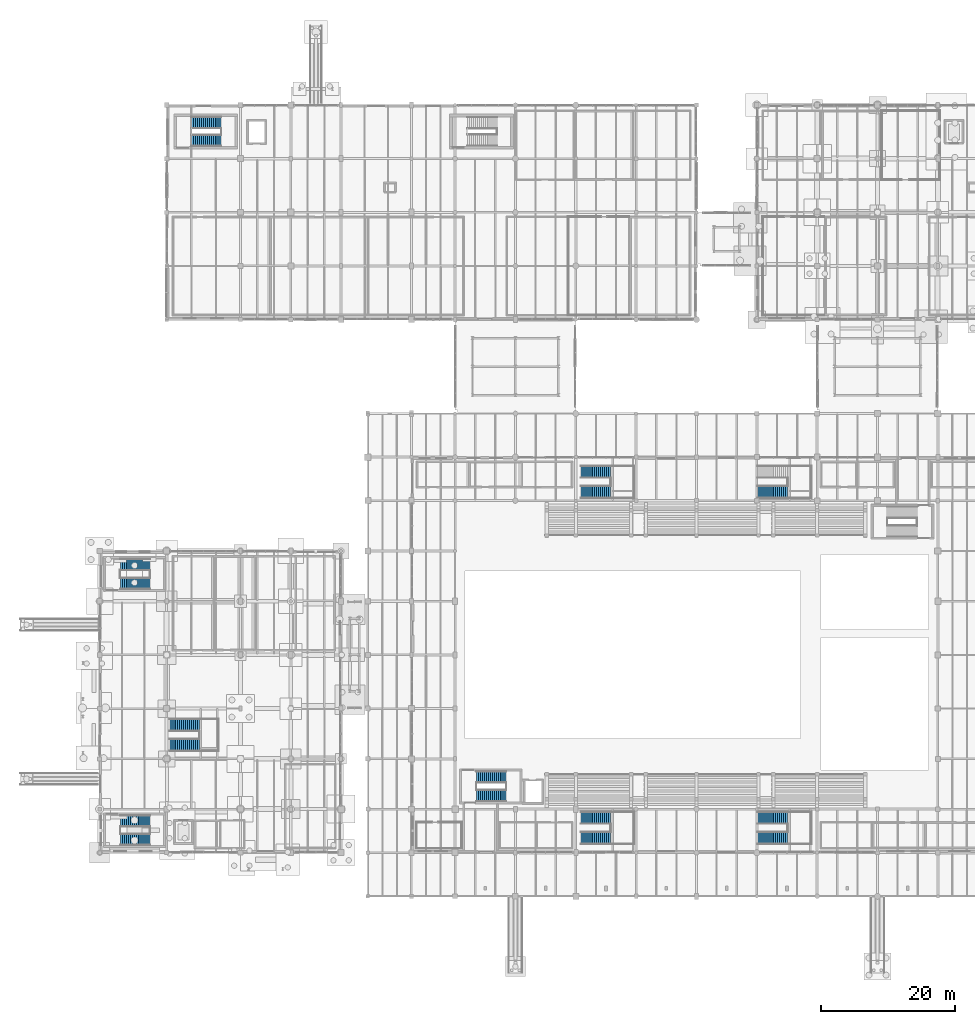
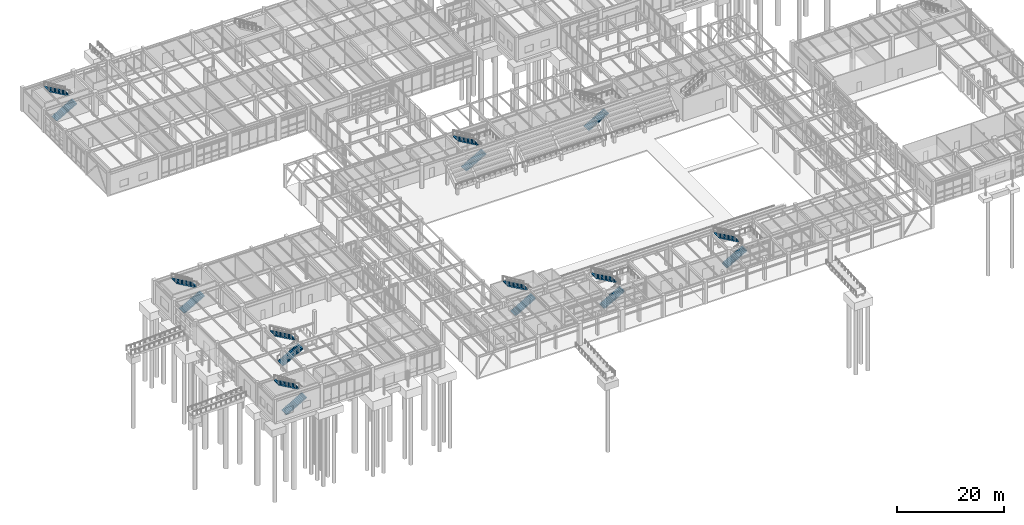
# One storey, part 185 of 203: 17 stair flights, 9 elements without a shape of their own.
"""IFC4 building model written with IfcOpenShell, lengths in metres."""

from ifc_helpers import new_model, si_unit, direction, frame, origin, place, context, subcontext, project, spatial, polyline, outline, extrude, material, layer, layer_set, type_object, element, aggregate, save


model = new_model("IFC4")

# Units and contexts
model_context = context("Model", 3, precision=1e-05, world=origin(), true_north=direction((0.0, 1.0)))
body_context = subcontext(model_context, "Body", "Model", "MODEL_VIEW")
ifc_project = project(units=[si_unit("LENGTHUNIT", "METRE"), si_unit("AREAUNIT", "SQUARE_METRE"), si_unit("VOLUMEUNIT", "CUBIC_METRE"), si_unit("PLANEANGLEUNIT", "RADIAN"), si_unit("MASSUNIT", "GRAM", prefix="KILO"), si_unit("THERMODYNAMICTEMPERATUREUNIT", "KELVIN"), si_unit("POWERUNIT", "WATT")], contexts=[model_context])

# Site, building, storey
site_placement = place(None, origin())
site = spatial("IfcSite", under=ifc_project, at=site_placement, CompositionType="ELEMENT")
building_placement = place(site_placement, origin())
building = spatial("IfcBuilding", under=site, at=building_placement, Name="Tepalcoro Natatorium and Aquatics Centre", CompositionType="ELEMENT")
storey_placement = place(building_placement, origin())
storey = spatial("IfcBuildingStorey", under=building, at=storey_placement, Name="L00", CompositionType="ELEMENT", Elevation=0.0)

# Stair, stair flights
ifc_material = material(Name="Concrete C35/45 (fc 35 MPa)", Category="concrete")
stair_type_1 = type_object("IfcStairType", Name="ST_RC_1800_L03", PredefinedType="HALF_TURN_STAIR", material=ifc_material)
stair_1_placement = place(storey_placement, origin())
stair_1 = element("IfcStair", 1, at=stair_1_placement, inside=storey, type_object=stair_type_1, Name="Entrance Atrium South Fire Stair (L00 to L01)", PredefinedType="HALF_TURN_STAIR")
ifc_layer_1 = layer(ifc_material, 0.199951171875)
ifc_layer_set_1 = layer_set([ifc_layer_1], Name="Concrete C35/45 (fc 35 MPa)")
stair_flight_type_1 = type_object("IfcStairFlightType", Name="SF_RC_1800_B1", PredefinedType="STRAIGHT", material=ifc_layer_set_1)
stair_flight_1_placement = place(storey_placement, frame((3.10009765625, 8.43994140625, 0.0), z_axis=(0.0, 0.0, 1.0), x_axis=(1.0, 0.0, 0.0)))
stair_flight_1 = element("IfcStairFlight", 2, at=stair_flight_1_placement, type_object=stair_flight_type_1, Name="Entrance Atrium South Fire Stair (L00 to L01) Flight 1", NumberOfRisers=16, NumberOfTreads=15, PredefinedType="STRAIGHT", RiserHeight=0.16875, TreadLength=0.295, context=body_context, shape_type="SweptSolid", body=[
    extrude(outline(polyline([(0.0, 0.0), (0.0, 0.168701171875), (0.294921875, 0.168701171875), (0.294921875, 0.33740234375), (0.590087890625, 0.33740234375), (0.590087890625, 0.50634765625), (0.885009765625, 0.50634765625), (0.885009765625, 0.675048828125), (1.179931640625, 0.675048828125), (1.179931640625, 0.84375), (1.47509765625, 0.84375), (1.47509765625, 1.012451171875), (1.77001953125, 1.012451171875), (1.77001953125, 1.18115234375), (2.06494140625, 1.18115234375), (2.06494140625, 1.35009765625), (2.360107421875, 1.35009765625), (2.360107421875, 1.518798828125), (2.655029296875, 1.518798828125), (2.655029296875, 1.6875), (2.949951171875, 1.6875), (2.949951171875, 1.856201171875), (3.2451171875, 1.856201171875), (3.2451171875, 2.02490234375), (3.5400390625, 2.02490234375), (3.5400390625, 2.19384765625), (3.8349609375, 2.19384765625), (3.8349609375, 2.362548828125), (4.1298828125, 2.362548828125), (4.1298828125, 2.53125), (4.425048828125, 2.53125), (4.425048828125, 2.699951171875), (4.425048828125, 2.30078125), (0.402587890625, 0.0), (0.0, 0.0)])), frame((0.0, 0.89990234375, 0.0), z_axis=(0.0, -1.0, 0.0), x_axis=(1.0, 0.0, 0.0)), (0.0, 0.0, 1.0), 1.800048828125),
])
stair_flight_2_placement = place(storey_placement, frame((7.52490234375, 11.260009765625, 2.699951171875), z_axis=(0.0, 0.0, 1.0), x_axis=(-1.0, 0.0, 0.0)))
stair_flight_2 = element("IfcStairFlight", 3, at=stair_flight_2_placement, type_object=stair_flight_type_1, Name="Entrance Atrium South Fire Stair (L00 to L01) Flight 2", NumberOfRisers=16, NumberOfTreads=15, PredefinedType="STRAIGHT", RiserHeight=0.16875, TreadLength=0.295, context=body_context, shape_type="SweptSolid", body=[
    extrude(outline(polyline([(0.0, 0.0), (0.0, 0.168701171875), (0.294921875, 0.168701171875), (0.294921875, 0.33740234375), (0.590087890625, 0.33740234375), (0.590087890625, 0.50634765625), (0.885009765625, 0.50634765625), (0.885009765625, 0.675048828125), (1.179931640625, 0.675048828125), (1.179931640625, 0.84375), (1.47509765625, 0.84375), (1.47509765625, 1.012451171875), (1.77001953125, 1.012451171875), (1.77001953125, 1.18115234375), (2.06494140625, 1.18115234375), (2.06494140625, 1.35009765625), (2.360107421875, 1.35009765625), (2.360107421875, 1.518798828125), (2.655029296875, 1.518798828125), (2.655029296875, 1.6875), (2.949951171875, 1.6875), (2.949951171875, 1.856201171875), (3.2451171875, 1.856201171875), (3.2451171875, 2.02490234375), (3.5400390625, 2.02490234375), (3.5400390625, 2.19384765625), (3.8349609375, 2.19384765625), (3.8349609375, 2.362548828125), (4.1298828125, 2.362548828125), (4.1298828125, 2.53125), (4.425048828125, 2.53125), (4.425048828125, 2.699951171875), (4.425048828125, 2.30078125), (0.402587890625, 0.0), (0.0, 0.0)])), frame((0.0, 0.89990234375, 0.0), z_axis=(0.0, -1.0, 0.0), x_axis=(1.0, 0.0, 0.0)), (0.0, 0.0, 1.0), 1.800048828125),
])
aggregate(stair_1, [stair_flight_1, stair_flight_2])

stair_type_2 = type_object("IfcStairType", Name="ST_RC_1800_L00", PredefinedType="HALF_TURN_STAIR", material=ifc_material)
stair_2_placement = place(storey_placement, origin())
stair_2 = element("IfcStair", 4, at=stair_2_placement, inside=storey, type_object=stair_type_2, Name="Natatorium West Fire Stair (L00 to L01)", PredefinedType="HALF_TURN_STAIR")
ifc_layer_2 = layer(ifc_material, 0.2099609375)
ifc_layer_set_2 = layer_set([ifc_layer_2], Name="Concrete C35/45 (fc 35 MPa)")
stair_flight_type_2 = type_object("IfcStairFlightType", Name="SF_RC_1800_L00", PredefinedType="STRAIGHT", material=ifc_layer_set_2)
stair_flight_3_placement = place(storey_placement, frame((56.199951171875, 14.989990234375, 0.0), z_axis=(0.0, 0.0, 1.0), x_axis=(1.0, 0.0, 0.0)))
stair_flight_3 = element("IfcStairFlight", 5, at=stair_flight_3_placement, type_object=stair_flight_type_2, Name="Natatorium West Fire Stair (L00 to L01) Flight 1", NumberOfRisers=16, NumberOfTreads=15, PredefinedType="STRAIGHT", RiserHeight=0.16875, TreadLength=0.295, context=body_context, shape_type="SweptSolid", body=[
    extrude(outline(polyline([(0.0, 0.0), (0.0, 0.168701171875), (0.294921875, 0.168701171875), (0.294921875, 0.33740234375), (0.590087890625, 0.33740234375), (0.590087890625, 0.50634765625), (0.885009765625, 0.50634765625), (0.885009765625, 0.675048828125), (1.179931640625, 0.675048828125), (1.179931640625, 0.84375), (1.47509765625, 0.84375), (1.47509765625, 1.012451171875), (1.77001953125, 1.012451171875), (1.77001953125, 1.18115234375), (2.06494140625, 1.18115234375), (2.06494140625, 1.35009765625), (2.360107421875, 1.35009765625), (2.360107421875, 1.518798828125), (2.655029296875, 1.518798828125), (2.655029296875, 1.6875), (2.949951171875, 1.6875), (2.949951171875, 1.856201171875), (3.2451171875, 1.856201171875), (3.2451171875, 2.02490234375), (3.5400390625, 2.02490234375), (3.5400390625, 2.19384765625), (3.8349609375, 2.19384765625), (3.8349609375, 2.362548828125), (4.1298828125, 2.362548828125), (4.1298828125, 2.53125), (4.425048828125, 2.53125), (4.425048828125, 2.699951171875), (4.425048828125, 2.289306640625), (0.4228515625, 0.0), (0.0, 0.0)])), frame((0.0, 0.89990234375, 0.0), z_axis=(0.0, -1.0, 0.0), x_axis=(1.0, 0.0, 0.0)), (0.0, 0.0, 1.0), 1.800048828125),
])
stair_flight_4_placement = place(storey_placement, frame((60.625, 17.81005859375, 2.699951171875), z_axis=(0.0, 0.0, 1.0), x_axis=(-1.0, 0.0, 0.0)))
stair_flight_4 = element("IfcStairFlight", 6, at=stair_flight_4_placement, type_object=stair_flight_type_2, Name="Natatorium West Fire Stair (L00 to L01) Flight 2", NumberOfRisers=16, NumberOfTreads=15, PredefinedType="STRAIGHT", RiserHeight=0.16875, TreadLength=0.295, context=body_context, shape_type="SweptSolid", body=[
    extrude(outline(polyline([(0.0, 0.0), (0.0, 0.168701171875), (0.294921875, 0.168701171875), (0.294921875, 0.33740234375), (0.590087890625, 0.33740234375), (0.590087890625, 0.50634765625), (0.885009765625, 0.50634765625), (0.885009765625, 0.675048828125), (1.179931640625, 0.675048828125), (1.179931640625, 0.84375), (1.47509765625, 0.84375), (1.47509765625, 1.012451171875), (1.77001953125, 1.012451171875), (1.77001953125, 1.18115234375), (2.06494140625, 1.18115234375), (2.06494140625, 1.35009765625), (2.360107421875, 1.35009765625), (2.360107421875, 1.518798828125), (2.655029296875, 1.518798828125), (2.655029296875, 1.6875), (2.949951171875, 1.6875), (2.949951171875, 1.856201171875), (3.2451171875, 1.856201171875), (3.2451171875, 2.02490234375), (3.5400390625, 2.02490234375), (3.5400390625, 2.19384765625), (3.8349609375, 2.19384765625), (3.8349609375, 2.362548828125), (4.1298828125, 2.362548828125), (4.1298828125, 2.53125), (4.425048828125, 2.53125), (4.425048828125, 2.699951171875), (4.425048828125, 2.289306640625), (0.4228515625, 0.0), (0.0, 0.0)])), frame((0.0, 0.89990234375, 0.0), z_axis=(0.0, -1.0, 0.0), x_axis=(1.0, 0.0, 0.0)), (0.0, 0.0, 1.0), 1.800048828125),
])
aggregate(stair_2, [stair_flight_3, stair_flight_4])

stair_type_3 = type_object("IfcStairType", Name="ST_RC_1800_B1", PredefinedType="HALF_TURN_STAIR", material=ifc_material)
stair_3_placement = place(storey_placement, origin())
stair_3 = element("IfcStair", 7, at=stair_3_placement, inside=storey, type_object=stair_type_3, Name="Entrance Atrium North Fire Stair (L00 to L01)", PredefinedType="HALF_TURN_STAIR")
stair_flight_5_placement = place(storey_placement, frame((3.080078125, 46.6201171875, 0.0), z_axis=(0.0, 0.0, 1.0), x_axis=(1.0, 0.0, 0.0)))
stair_flight_5 = element("IfcStairFlight", 8, at=stair_flight_5_placement, type_object=stair_flight_type_2, Name="Entrance Atrium North Fire Stair (L00 to L01) Flight 1", NumberOfRisers=16, NumberOfTreads=15, PredefinedType="STRAIGHT", RiserHeight=0.16875, TreadLength=0.295, context=body_context, shape_type="SweptSolid", body=[
    extrude(outline(polyline([(0.0, 0.0), (0.0, 0.168701171875), (0.294921875, 0.168701171875), (0.294921875, 0.33740234375), (0.590087890625, 0.33740234375), (0.590087890625, 0.50634765625), (0.885009765625, 0.50634765625), (0.885009765625, 0.675048828125), (1.179931640625, 0.675048828125), (1.179931640625, 0.84375), (1.47509765625, 0.84375), (1.47509765625, 1.012451171875), (1.77001953125, 1.012451171875), (1.77001953125, 1.18115234375), (2.06494140625, 1.18115234375), (2.06494140625, 1.35009765625), (2.360107421875, 1.35009765625), (2.360107421875, 1.518798828125), (2.655029296875, 1.518798828125), (2.655029296875, 1.6875), (2.949951171875, 1.6875), (2.949951171875, 1.856201171875), (3.2451171875, 1.856201171875), (3.2451171875, 2.02490234375), (3.5400390625, 2.02490234375), (3.5400390625, 2.19384765625), (3.8349609375, 2.19384765625), (3.8349609375, 2.362548828125), (4.1298828125, 2.362548828125), (4.1298828125, 2.53125), (4.425048828125, 2.53125), (4.425048828125, 2.699951171875), (4.425048828125, 2.289306640625), (0.4228515625, 0.0), (0.0, 0.0)])), frame((0.0, 0.89990234375, 0.0), z_axis=(0.0, -1.0, 0.0), x_axis=(1.0, 0.0, 0.0)), (0.0, 0.0, 1.0), 1.800048828125),
])
stair_flight_6_placement = place(storey_placement, frame((7.5048828125, 49.47998046875, 2.699951171875), z_axis=(0.0, 0.0, 1.0), x_axis=(-1.0, 0.0, 0.0)))
stair_flight_6 = element("IfcStairFlight", 9, at=stair_flight_6_placement, type_object=stair_flight_type_2, Name="Entrance Atrium North Fire Stair (L00 to L01) Flight 2", NumberOfRisers=16, NumberOfTreads=15, PredefinedType="STRAIGHT", RiserHeight=0.16875, TreadLength=0.295, context=body_context, shape_type="SweptSolid", body=[
    extrude(outline(polyline([(0.0, 0.0), (0.0, 0.168701171875), (0.294921875, 0.168701171875), (0.294921875, 0.33740234375), (0.590087890625, 0.33740234375), (0.590087890625, 0.50634765625), (0.885009765625, 0.50634765625), (0.885009765625, 0.675048828125), (1.179931640625, 0.675048828125), (1.179931640625, 0.84375), (1.47509765625, 0.84375), (1.47509765625, 1.012451171875), (1.77001953125, 1.012451171875), (1.77001953125, 1.18115234375), (2.06494140625, 1.18115234375), (2.06494140625, 1.35009765625), (2.360107421875, 1.35009765625), (2.360107421875, 1.518798828125), (2.655029296875, 1.518798828125), (2.655029296875, 1.6875), (2.949951171875, 1.6875), (2.949951171875, 1.856201171875), (3.2451171875, 1.856201171875), (3.2451171875, 2.02490234375), (3.5400390625, 2.02490234375), (3.5400390625, 2.19384765625), (3.8349609375, 2.19384765625), (3.8349609375, 2.362548828125), (4.1298828125, 2.362548828125), (4.1298828125, 2.53125), (4.425048828125, 2.53125), (4.425048828125, 2.699951171875), (4.425048828125, 2.289306640625), (0.4228515625, 0.0), (0.0, 0.0)])), frame((0.0, 0.89990234375, 0.0), z_axis=(0.0, -1.0, 0.0), x_axis=(1.0, 0.0, 0.0)), (0.0, 0.0, 1.0), 1.800048828125),
])
aggregate(stair_3, [stair_flight_5, stair_flight_6])

stair_type_4 = type_object("IfcStairType", Name="ST_RC_1800_L01", PredefinedType="HALF_TURN_STAIR", material=ifc_material)
stair_4_placement = place(storey_placement, origin())
stair_4 = element("IfcStair", 10, at=stair_4_placement, inside=storey, type_object=stair_type_4, Name="Training Wing West Fire Stair (L00 to L01)", PredefinedType="HALF_TURN_STAIR")
ifc_layer_3 = layer(ifc_material, 0.18994140625)
ifc_layer_set_3 = layer_set([ifc_layer_3], Name="Concrete C35/45 (fc 35 MPa)")
stair_flight_type_3 = type_object("IfcStairFlightType", Name="SF_RC_1800_L02", PredefinedType="STRAIGHT", material=ifc_layer_set_3)
stair_flight_7_placement = place(storey_placement, frame((13.699951171875, 112.68994140625, 0.0), z_axis=(0.0, 0.0, 1.0), x_axis=(1.0, 0.0, 0.0)))
stair_flight_7 = element("IfcStairFlight", 11, at=stair_flight_7_placement, type_object=stair_flight_type_3, Name="Training Wing West Fire Stair (L00 to L01) Flight 1", NumberOfRisers=16, NumberOfTreads=15, PredefinedType="STRAIGHT", RiserHeight=0.16875, TreadLength=0.295, context=body_context, shape_type="SweptSolid", body=[
    extrude(outline(polyline([(0.0, 0.0), (0.0, 0.168701171875), (0.294921875, 0.168701171875), (0.294921875, 0.33740234375), (0.590087890625, 0.33740234375), (0.590087890625, 0.50634765625), (0.885009765625, 0.50634765625), (0.885009765625, 0.675048828125), (1.179931640625, 0.675048828125), (1.179931640625, 0.84375), (1.47509765625, 0.84375), (1.47509765625, 1.012451171875), (1.77001953125, 1.012451171875), (1.77001953125, 1.18115234375), (2.06494140625, 1.18115234375), (2.06494140625, 1.35009765625), (2.360107421875, 1.35009765625), (2.360107421875, 1.518798828125), (2.655029296875, 1.518798828125), (2.655029296875, 1.6875), (2.949951171875, 1.6875), (2.949951171875, 1.856201171875), (3.2451171875, 1.856201171875), (3.2451171875, 2.02490234375), (3.5400390625, 2.02490234375), (3.5400390625, 2.19384765625), (3.8349609375, 2.19384765625), (3.8349609375, 2.362548828125), (4.1298828125, 2.362548828125), (4.1298828125, 2.53125), (4.425048828125, 2.53125), (4.425048828125, 2.699951171875), (4.425048828125, 2.3125), (0.382568359375, 0.0), (0.0, 0.0)])), frame((0.0, 0.89990234375, 0.0), z_axis=(0.0, -1.0, 0.0), x_axis=(1.0, 0.0, 0.0)), (0.0, 0.0, 1.0), 1.800048828125),
])
stair_flight_8_placement = place(storey_placement, frame((18.125, 115.409912109375, 2.699951171875), z_axis=(0.0, 0.0, 1.0), x_axis=(-1.0, 0.0, 0.0)))
stair_flight_8 = element("IfcStairFlight", 12, at=stair_flight_8_placement, type_object=stair_flight_type_3, Name="Training Wing West Fire Stair (L00 to L01) Flight 2", NumberOfRisers=16, NumberOfTreads=15, PredefinedType="STRAIGHT", RiserHeight=0.16875, TreadLength=0.295, context=body_context, shape_type="SweptSolid", body=[
    extrude(outline(polyline([(0.0, 0.0), (0.0, 0.168701171875), (0.294921875, 0.168701171875), (0.294921875, 0.33740234375), (0.590087890625, 0.33740234375), (0.590087890625, 0.50634765625), (0.885009765625, 0.50634765625), (0.885009765625, 0.675048828125), (1.179931640625, 0.675048828125), (1.179931640625, 0.84375), (1.47509765625, 0.84375), (1.47509765625, 1.012451171875), (1.77001953125, 1.012451171875), (1.77001953125, 1.18115234375), (2.06494140625, 1.18115234375), (2.06494140625, 1.35009765625), (2.360107421875, 1.35009765625), (2.360107421875, 1.518798828125), (2.655029296875, 1.518798828125), (2.655029296875, 1.6875), (2.949951171875, 1.6875), (2.949951171875, 1.856201171875), (3.2451171875, 1.856201171875), (3.2451171875, 2.02490234375), (3.5400390625, 2.02490234375), (3.5400390625, 2.19384765625), (3.8349609375, 2.19384765625), (3.8349609375, 2.362548828125), (4.1298828125, 2.362548828125), (4.1298828125, 2.53125), (4.425048828125, 2.53125), (4.425048828125, 2.699951171875), (4.425048828125, 2.3125), (0.382568359375, 0.0), (0.0, 0.0)])), frame((0.0, 0.89990234375, 0.0), z_axis=(0.0, -1.0, 0.0), x_axis=(1.0, 0.0, 0.0)), (0.0, 0.0, 1.0), 1.800048828125),
])
aggregate(stair_4, [stair_flight_7, stair_flight_8])

stair_type_5 = type_object("IfcStairType", Name="ST_ST_1800_VOM1", PredefinedType="STRAIGHT_RUN_STAIR", material=ifc_material)
stair_5_placement = place(storey_placement, origin())
stair_5 = element("IfcStair", 13, at=stair_5_placement, inside=storey, type_object=stair_type_5, Name="Spectator Concourse Vomitory Stair SW", PredefinedType="STRAIGHT_RUN_STAIR")
ifc_layer_4 = layer(ifc_material, 0.179931640625)
ifc_layer_set_4 = layer_set([ifc_layer_4], Name="Concrete C35/45 (fc 35 MPa)")
stair_flight_type_4 = type_object("IfcStairFlightType", Name="SF_ST_1800_VOM", PredefinedType="STRAIGHT", material=ifc_layer_set_4)
stair_flight_9_placement = place(storey_placement, frame((71.760009765625, 8.7099609375, 0.0), z_axis=(0.0, 0.0, 1.0), x_axis=(1.0, 0.0, 0.0)))
stair_flight_9 = element("IfcStairFlight", 14, at=stair_flight_9_placement, type_object=stair_flight_type_4, Name="Spectator Concourse Vomitory Stair SW Flight 1", NumberOfRisers=16, NumberOfTreads=15, PredefinedType="STRAIGHT", RiserHeight=0.16875, TreadLength=0.295, context=body_context, shape_type="SweptSolid", body=[
    extrude(outline(polyline([(0.0, 0.0), (0.0, 0.168701171875), (0.294921875, 0.168701171875), (0.294921875, 0.33740234375), (0.590087890625, 0.33740234375), (0.590087890625, 0.50634765625), (0.885009765625, 0.50634765625), (0.885009765625, 0.675048828125), (1.179931640625, 0.675048828125), (1.179931640625, 0.84375), (1.47509765625, 0.84375), (1.47509765625, 1.012451171875), (1.77001953125, 1.012451171875), (1.77001953125, 1.18115234375), (2.06494140625, 1.18115234375), (2.06494140625, 1.35009765625), (2.360107421875, 1.35009765625), (2.360107421875, 1.518798828125), (2.655029296875, 1.518798828125), (2.655029296875, 1.6875), (2.949951171875, 1.6875), (2.949951171875, 1.856201171875), (3.2451171875, 1.856201171875), (3.2451171875, 2.02490234375), (3.5400390625, 2.02490234375), (3.5400390625, 2.19384765625), (3.8349609375, 2.19384765625), (3.8349609375, 2.362548828125), (4.1298828125, 2.362548828125), (4.1298828125, 2.53125), (4.425048828125, 2.53125), (4.425048828125, 2.699951171875), (4.425048828125, 2.323974609375), (0.3623046875, 0.0), (0.0, 0.0)])), frame((0.0, 0.89990234375, 0.0), z_axis=(0.0, -1.0, 0.0), x_axis=(1.0, 0.0, 0.0)), (0.0, 0.0, 1.0), 1.800048828125),
])
stair_flight_10_placement = place(storey_placement, frame((76.18505859375, 11.68994140625, 2.699951171875), z_axis=(0.0, 0.0, 1.0), x_axis=(-1.0, 0.0, 0.0)))
stair_flight_10 = element("IfcStairFlight", 15, at=stair_flight_10_placement, type_object=stair_flight_type_4, Name="Spectator Concourse Vomitory Stair SW Flight 2", NumberOfRisers=16, NumberOfTreads=15, PredefinedType="STRAIGHT", RiserHeight=0.16875, TreadLength=0.295, context=body_context, shape_type="SweptSolid", body=[
    extrude(outline(polyline([(0.0, 0.0), (0.0, 0.168701171875), (0.294921875, 0.168701171875), (0.294921875, 0.33740234375), (0.590087890625, 0.33740234375), (0.590087890625, 0.50634765625), (0.885009765625, 0.50634765625), (0.885009765625, 0.675048828125), (1.179931640625, 0.675048828125), (1.179931640625, 0.84375), (1.47509765625, 0.84375), (1.47509765625, 1.012451171875), (1.77001953125, 1.012451171875), (1.77001953125, 1.18115234375), (2.06494140625, 1.18115234375), (2.06494140625, 1.35009765625), (2.360107421875, 1.35009765625), (2.360107421875, 1.518798828125), (2.655029296875, 1.518798828125), (2.655029296875, 1.6875), (2.949951171875, 1.6875), (2.949951171875, 1.856201171875), (3.2451171875, 1.856201171875), (3.2451171875, 2.02490234375), (3.5400390625, 2.02490234375), (3.5400390625, 2.19384765625), (3.8349609375, 2.19384765625), (3.8349609375, 2.362548828125), (4.1298828125, 2.362548828125), (4.1298828125, 2.53125), (4.425048828125, 2.53125), (4.425048828125, 2.699951171875), (4.425048828125, 2.323974609375), (0.3623046875, 0.0), (0.0, 0.0)])), frame((0.0, 0.89990234375, 0.0), z_axis=(0.0, -1.0, 0.0), x_axis=(1.0, 0.0, 0.0)), (0.0, 0.0, 1.0), 1.800048828125),
])
aggregate(stair_5, [stair_flight_9, stair_flight_10])

stair_type_6 = type_object("IfcStairType", Name="ST_ST_1800_VOM2", PredefinedType="STRAIGHT_RUN_STAIR", material=ifc_material)
stair_6_placement = place(storey_placement, origin())
stair_6 = element("IfcStair", 16, at=stair_6_placement, inside=storey, type_object=stair_type_6, Name="Spectator Concourse Vomitory Stair SE", PredefinedType="STRAIGHT_RUN_STAIR")
stair_flight_11_placement = place(storey_placement, frame((98.159912109375, 8.7099609375, 0.0), z_axis=(0.0, 0.0, 1.0), x_axis=(1.0, 0.0, 0.0)))
stair_flight_11 = element("IfcStairFlight", 17, at=stair_flight_11_placement, type_object=stair_flight_type_4, Name="Spectator Concourse Vomitory Stair SE Flight 1", NumberOfRisers=16, NumberOfTreads=15, PredefinedType="STRAIGHT", RiserHeight=0.16875, TreadLength=0.295, context=body_context, shape_type="SweptSolid", body=[
    extrude(outline(polyline([(0.0, 0.0), (0.0, 0.168701171875), (0.294921875, 0.168701171875), (0.294921875, 0.33740234375), (0.590087890625, 0.33740234375), (0.590087890625, 0.50634765625), (0.885009765625, 0.50634765625), (0.885009765625, 0.675048828125), (1.179931640625, 0.675048828125), (1.179931640625, 0.84375), (1.47509765625, 0.84375), (1.47509765625, 1.012451171875), (1.77001953125, 1.012451171875), (1.77001953125, 1.18115234375), (2.06494140625, 1.18115234375), (2.06494140625, 1.35009765625), (2.360107421875, 1.35009765625), (2.360107421875, 1.518798828125), (2.655029296875, 1.518798828125), (2.655029296875, 1.6875), (2.949951171875, 1.6875), (2.949951171875, 1.856201171875), (3.2451171875, 1.856201171875), (3.2451171875, 2.02490234375), (3.5400390625, 2.02490234375), (3.5400390625, 2.19384765625), (3.8349609375, 2.19384765625), (3.8349609375, 2.362548828125), (4.1298828125, 2.362548828125), (4.1298828125, 2.53125), (4.425048828125, 2.53125), (4.425048828125, 2.699951171875), (4.425048828125, 2.323974609375), (0.3623046875, 0.0), (0.0, 0.0)])), frame((0.0, 0.89990234375, 0.0), z_axis=(0.0, -1.0, 0.0), x_axis=(1.0, 0.0, 0.0)), (0.0, 0.0, 1.0), 1.800048828125),
])
stair_flight_12_placement = place(storey_placement, frame((102.5849609375, 11.68994140625, 2.699951171875), z_axis=(0.0, 0.0, 1.0), x_axis=(-1.0, 0.0, 0.0)))
stair_flight_12 = element("IfcStairFlight", 18, at=stair_flight_12_placement, type_object=stair_flight_type_4, Name="Spectator Concourse Vomitory Stair SE Flight 2", NumberOfRisers=16, NumberOfTreads=15, PredefinedType="STRAIGHT", RiserHeight=0.16875, TreadLength=0.295, context=body_context, shape_type="SweptSolid", body=[
    extrude(outline(polyline([(0.0, 0.0), (0.0, 0.168701171875), (0.294921875, 0.168701171875), (0.294921875, 0.33740234375), (0.590087890625, 0.33740234375), (0.590087890625, 0.50634765625), (0.885009765625, 0.50634765625), (0.885009765625, 0.675048828125), (1.179931640625, 0.675048828125), (1.179931640625, 0.84375), (1.47509765625, 0.84375), (1.47509765625, 1.012451171875), (1.77001953125, 1.012451171875), (1.77001953125, 1.18115234375), (2.06494140625, 1.18115234375), (2.06494140625, 1.35009765625), (2.360107421875, 1.35009765625), (2.360107421875, 1.518798828125), (2.655029296875, 1.518798828125), (2.655029296875, 1.6875), (2.949951171875, 1.6875), (2.949951171875, 1.856201171875), (3.2451171875, 1.856201171875), (3.2451171875, 2.02490234375), (3.5400390625, 2.02490234375), (3.5400390625, 2.19384765625), (3.8349609375, 2.19384765625), (3.8349609375, 2.362548828125), (4.1298828125, 2.362548828125), (4.1298828125, 2.53125), (4.425048828125, 2.53125), (4.425048828125, 2.699951171875), (4.425048828125, 2.323974609375), (0.3623046875, 0.0), (0.0, 0.0)])), frame((0.0, 0.89990234375, 0.0), z_axis=(0.0, -1.0, 0.0), x_axis=(1.0, 0.0, 0.0)), (0.0, 0.0, 1.0), 1.800048828125),
])
aggregate(stair_6, [stair_flight_11, stair_flight_12])

stair_7_placement = place(storey_placement, origin())
stair_7 = element("IfcStair", 19, at=stair_7_placement, inside=storey, type_object=stair_type_5, Name="Spectator Concourse Vomitory Stair NW", PredefinedType="STRAIGHT_RUN_STAIR")
stair_flight_13_placement = place(storey_placement, frame((71.760009765625, 60.31005859375, 0.0), z_axis=(0.0, 0.0, 1.0), x_axis=(1.0, 0.0, 0.0)))
stair_flight_13 = element("IfcStairFlight", 20, at=stair_flight_13_placement, type_object=stair_flight_type_4, Name="Spectator Concourse Vomitory Stair NW Flight 1", NumberOfRisers=16, NumberOfTreads=15, PredefinedType="STRAIGHT", RiserHeight=0.16875, TreadLength=0.295, context=body_context, shape_type="SweptSolid", body=[
    extrude(outline(polyline([(0.0, 0.0), (0.0, 0.168701171875), (0.294921875, 0.168701171875), (0.294921875, 0.33740234375), (0.590087890625, 0.33740234375), (0.590087890625, 0.50634765625), (0.885009765625, 0.50634765625), (0.885009765625, 0.675048828125), (1.179931640625, 0.675048828125), (1.179931640625, 0.84375), (1.47509765625, 0.84375), (1.47509765625, 1.012451171875), (1.77001953125, 1.012451171875), (1.77001953125, 1.18115234375), (2.06494140625, 1.18115234375), (2.06494140625, 1.35009765625), (2.360107421875, 1.35009765625), (2.360107421875, 1.518798828125), (2.655029296875, 1.518798828125), (2.655029296875, 1.6875), (2.949951171875, 1.6875), (2.949951171875, 1.856201171875), (3.2451171875, 1.856201171875), (3.2451171875, 2.02490234375), (3.5400390625, 2.02490234375), (3.5400390625, 2.19384765625), (3.8349609375, 2.19384765625), (3.8349609375, 2.362548828125), (4.1298828125, 2.362548828125), (4.1298828125, 2.53125), (4.425048828125, 2.53125), (4.425048828125, 2.699951171875), (4.425048828125, 2.323974609375), (0.3623046875, 0.0), (0.0, 0.0)])), frame((0.0, 0.89990234375, 0.0), z_axis=(0.0, -1.0, 0.0), x_axis=(1.0, 0.0, 0.0)), (0.0, 0.0, 1.0), 1.800048828125),
])
stair_flight_14_placement = place(storey_placement, frame((76.18505859375, 63.2900390625, 2.699951171875), z_axis=(0.0, 0.0, 1.0), x_axis=(-1.0, 0.0, 0.0)))
stair_flight_14 = element("IfcStairFlight", 21, at=stair_flight_14_placement, type_object=stair_flight_type_4, Name="Spectator Concourse Vomitory Stair NW Flight 2", NumberOfRisers=16, NumberOfTreads=15, PredefinedType="STRAIGHT", RiserHeight=0.16875, TreadLength=0.295, context=body_context, shape_type="SweptSolid", body=[
    extrude(outline(polyline([(0.0, 0.0), (0.0, 0.168701171875), (0.294921875, 0.168701171875), (0.294921875, 0.33740234375), (0.590087890625, 0.33740234375), (0.590087890625, 0.50634765625), (0.885009765625, 0.50634765625), (0.885009765625, 0.675048828125), (1.179931640625, 0.675048828125), (1.179931640625, 0.84375), (1.47509765625, 0.84375), (1.47509765625, 1.012451171875), (1.77001953125, 1.012451171875), (1.77001953125, 1.18115234375), (2.06494140625, 1.18115234375), (2.06494140625, 1.35009765625), (2.360107421875, 1.35009765625), (2.360107421875, 1.518798828125), (2.655029296875, 1.518798828125), (2.655029296875, 1.6875), (2.949951171875, 1.6875), (2.949951171875, 1.856201171875), (3.2451171875, 1.856201171875), (3.2451171875, 2.02490234375), (3.5400390625, 2.02490234375), (3.5400390625, 2.19384765625), (3.8349609375, 2.19384765625), (3.8349609375, 2.362548828125), (4.1298828125, 2.362548828125), (4.1298828125, 2.53125), (4.425048828125, 2.53125), (4.425048828125, 2.699951171875), (4.425048828125, 2.323974609375), (0.3623046875, 0.0), (0.0, 0.0)])), frame((0.0, 0.89990234375, 0.0), z_axis=(0.0, -1.0, 0.0), x_axis=(1.0, 0.0, 0.0)), (0.0, 0.0, 1.0), 1.800048828125),
])
aggregate(stair_7, [stair_flight_13, stair_flight_14])

# Stair, stair flight
stair_8_placement = place(storey_placement, origin())
stair_8 = element("IfcStair", 22, at=stair_8_placement, inside=storey, type_object=stair_type_6, Name="Spectator Concourse Vomitory Stair NE", PredefinedType="STRAIGHT_RUN_STAIR")
stair_flight_15_placement = place(storey_placement, frame((98.159912109375, 60.31005859375, 0.0), z_axis=(0.0, 0.0, 1.0), x_axis=(1.0, 0.0, 0.0)))
stair_flight_15 = element("IfcStairFlight", 23, at=stair_flight_15_placement, type_object=stair_flight_type_4, Name="Spectator Concourse Vomitory Stair NE Flight 1", NumberOfRisers=16, NumberOfTreads=15, PredefinedType="STRAIGHT", RiserHeight=0.16875, TreadLength=0.295, context=body_context, shape_type="SweptSolid", body=[
    extrude(outline(polyline([(0.0, 0.0), (0.0, 0.168701171875), (0.294921875, 0.168701171875), (0.294921875, 0.33740234375), (0.590087890625, 0.33740234375), (0.590087890625, 0.50634765625), (0.885009765625, 0.50634765625), (0.885009765625, 0.675048828125), (1.179931640625, 0.675048828125), (1.179931640625, 0.84375), (1.47509765625, 0.84375), (1.47509765625, 1.012451171875), (1.77001953125, 1.012451171875), (1.77001953125, 1.18115234375), (2.06494140625, 1.18115234375), (2.06494140625, 1.35009765625), (2.360107421875, 1.35009765625), (2.360107421875, 1.518798828125), (2.655029296875, 1.518798828125), (2.655029296875, 1.6875), (2.949951171875, 1.6875), (2.949951171875, 1.856201171875), (3.2451171875, 1.856201171875), (3.2451171875, 2.02490234375), (3.5400390625, 2.02490234375), (3.5400390625, 2.19384765625), (3.8349609375, 2.19384765625), (3.8349609375, 2.362548828125), (4.1298828125, 2.362548828125), (4.1298828125, 2.53125), (4.425048828125, 2.53125), (4.425048828125, 2.699951171875), (4.425048828125, 2.323974609375), (0.3623046875, 0.0), (0.0, 0.0)])), frame((0.0, 0.89990234375, 0.0), z_axis=(0.0, -1.0, 0.0), x_axis=(1.0, 0.0, 0.0)), (0.0, 0.0, 1.0), 1.800048828125),
])
aggregate(stair_8, [stair_flight_15])

# Stair, stair flights
stair_type_7 = type_object("IfcStairType", Name="ST_ST_2400_FEAT", PredefinedType="STRAIGHT_RUN_STAIR", material=ifc_material)
stair_9_placement = place(storey_placement, origin())
stair_9 = element("IfcStair", 24, at=stair_9_placement, inside=storey, type_object=stair_type_7, Name="V3 Grand Civic Atrium Feature Stair", PredefinedType="STRAIGHT_RUN_STAIR")
ifc_layer_5 = layer(ifc_material, 0.199951171875)
ifc_layer_set_5 = layer_set([ifc_layer_5], Name="Concrete C35/45 (fc 35 MPa)")
stair_flight_type_5 = type_object("IfcStairFlightType", Name="SF_ST_1850_FEAT", PredefinedType="STRAIGHT", material=ifc_layer_set_5)
stair_flight_16_placement = place(storey_placement, frame((10.4599609375, 22.5849609375, 0.0), z_axis=(0.0, 0.0, 1.0), x_axis=(1.0, 0.0, 0.0)))
stair_flight_16 = element("IfcStairFlight", 25, at=stair_flight_16_placement, type_object=stair_flight_type_5, Name="V3 Grand Civic Atrium Feature Stair Flight 1", NumberOfRisers=16, NumberOfTreads=15, PredefinedType="STRAIGHT", RiserHeight=0.16875, TreadLength=0.295, context=body_context, shape_type="SweptSolid", body=[
    extrude(outline(polyline([(0.0, 0.0), (0.0, 0.168701171875), (0.294921875, 0.168701171875), (0.294921875, 0.33740234375), (0.590087890625, 0.33740234375), (0.590087890625, 0.50634765625), (0.885009765625, 0.50634765625), (0.885009765625, 0.675048828125), (1.179931640625, 0.675048828125), (1.179931640625, 0.84375), (1.47509765625, 0.84375), (1.47509765625, 1.012451171875), (1.77001953125, 1.012451171875), (1.77001953125, 1.18115234375), (2.06494140625, 1.18115234375), (2.06494140625, 1.35009765625), (2.360107421875, 1.35009765625), (2.360107421875, 1.518798828125), (2.655029296875, 1.518798828125), (2.655029296875, 1.6875), (2.949951171875, 1.6875), (2.949951171875, 1.856201171875), (3.2451171875, 1.856201171875), (3.2451171875, 2.02490234375), (3.5400390625, 2.02490234375), (3.5400390625, 2.19384765625), (3.8349609375, 2.19384765625), (3.8349609375, 2.362548828125), (4.1298828125, 2.362548828125), (4.1298828125, 2.53125), (4.425048828125, 2.53125), (4.425048828125, 2.699951171875), (4.425048828125, 2.30078125), (0.402587890625, 0.0), (0.0, 0.0)])), frame((0.0, 0.925048828125, 0.0), z_axis=(0.0, -1.0, 0.0), x_axis=(1.0, 0.0, 0.0)), (0.0, 0.0, 1.0), 1.85009765625),
])
stair_flight_17_placement = place(storey_placement, frame((14.885009765625, 25.514892578125, 2.699951171875), z_axis=(0.0, 0.0, 1.0), x_axis=(-1.0, 0.0, 0.0)))
stair_flight_17 = element("IfcStairFlight", 26, at=stair_flight_17_placement, type_object=stair_flight_type_5, Name="V3 Grand Civic Atrium Feature Stair Flight 2", NumberOfRisers=16, NumberOfTreads=15, PredefinedType="STRAIGHT", RiserHeight=0.16875, TreadLength=0.295, context=body_context, shape_type="SweptSolid", body=[
    extrude(outline(polyline([(0.0, 0.0), (0.0, 0.168701171875), (0.294921875, 0.168701171875), (0.294921875, 0.33740234375), (0.590087890625, 0.33740234375), (0.590087890625, 0.50634765625), (0.885009765625, 0.50634765625), (0.885009765625, 0.675048828125), (1.179931640625, 0.675048828125), (1.179931640625, 0.84375), (1.47509765625, 0.84375), (1.47509765625, 1.012451171875), (1.77001953125, 1.012451171875), (1.77001953125, 1.18115234375), (2.06494140625, 1.18115234375), (2.06494140625, 1.35009765625), (2.360107421875, 1.35009765625), (2.360107421875, 1.518798828125), (2.655029296875, 1.518798828125), (2.655029296875, 1.6875), (2.949951171875, 1.6875), (2.949951171875, 1.856201171875), (3.2451171875, 1.856201171875), (3.2451171875, 2.02490234375), (3.5400390625, 2.02490234375), (3.5400390625, 2.19384765625), (3.8349609375, 2.19384765625), (3.8349609375, 2.362548828125), (4.1298828125, 2.362548828125), (4.1298828125, 2.53125), (4.425048828125, 2.53125), (4.425048828125, 2.699951171875), (4.425048828125, 2.30078125), (0.402587890625, 0.0), (0.0, 0.0)])), frame((0.0, 0.925048828125, 0.0), z_axis=(0.0, -1.0, 0.0), x_axis=(1.0, 0.0, 0.0)), (0.0, 0.0, 1.0), 1.85009765625),
])
aggregate(stair_9, [stair_flight_16, stair_flight_17])

save(model, "model.ifc")
